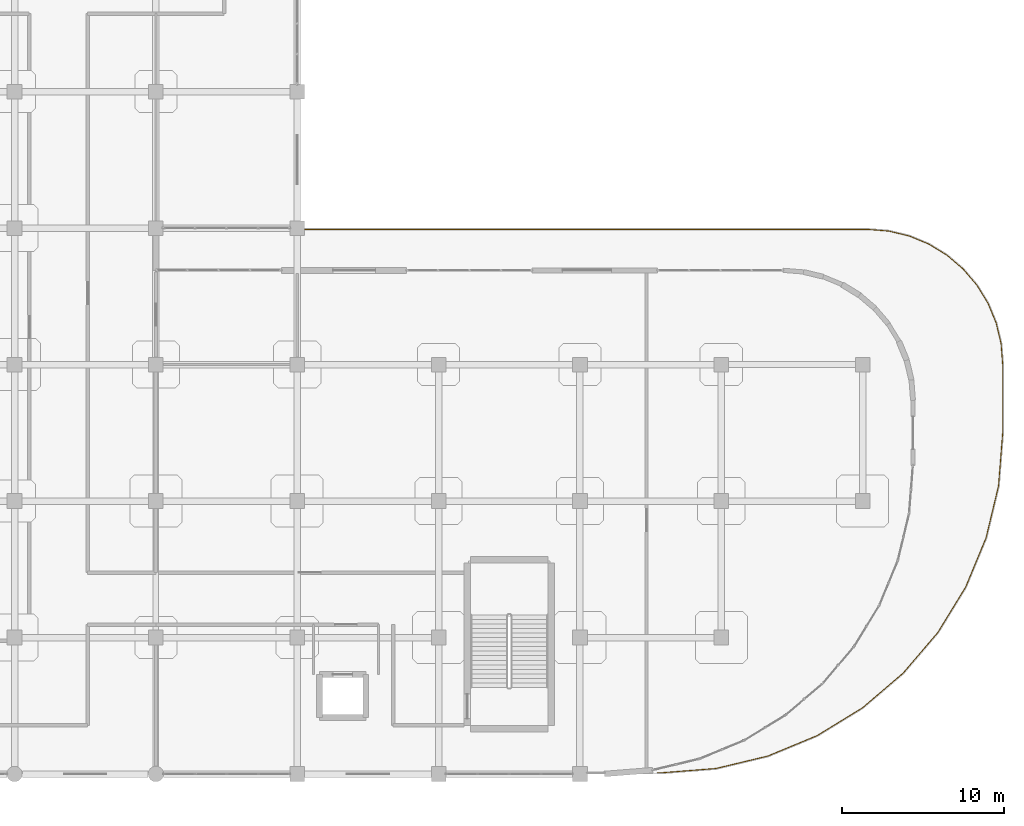
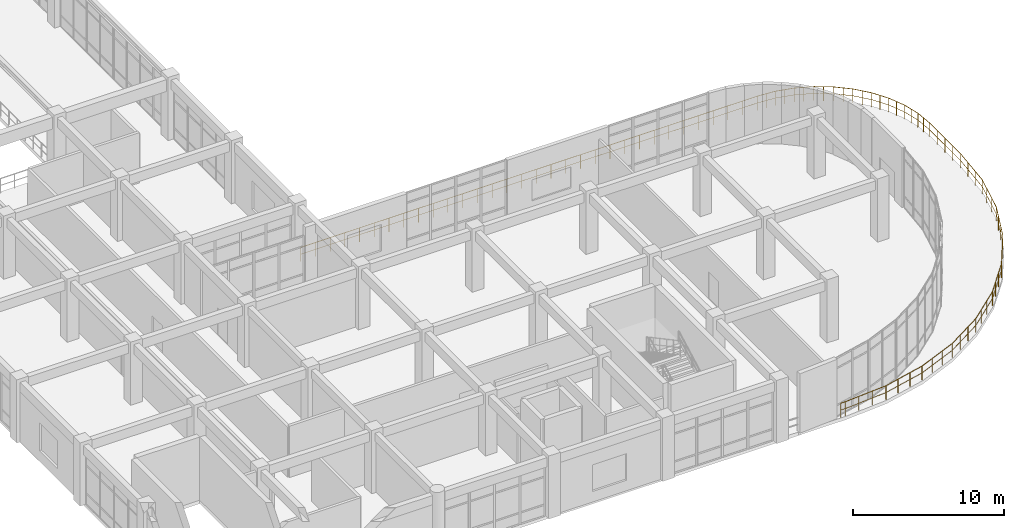
# One storey, part 120 of 120: 1 railing.
"""IFC4 building model written with IfcOpenShell, lengths in metres."""

import ifcopenshell
import ifcopenshell.guid

model = None  # the IFC model being written
_history = None  # IfcOwnerHistory: only IFC2X3 demands one
_inside = {}  # id of a spatial element -> (the spatial element, [elements in it])
_under = {}  # id of a project, library or spatial element -> (it, [spatial elements below it])
_declared = {}  # id of a project -> (the project, [libraries it declares])
_typed = {}  # id of a type object -> (the type object, [elements of that type])
_made_of = {}  # id of a material, layer set ... -> (it, [elements and type objects made of it])


def new_model(schema):
    """Start an empty IFC model of exactly this schema.

    Asked for "IFC4X3", IfcOpenShell would pick the latest addendum, in which some entities
    have other attributes; the version numbers below select the first issue.
    IFC2X3 requires an IfcOwnerHistory on every rooted entity: one is made here for all.
    """
    global model, _history
    if schema == "IFC4X3":
        model = ifcopenshell.file(schema_version=(4, 3, 0, 0))
    else:
        model = ifcopenshell.file(schema=schema)
    _inside.clear()
    _under.clear()
    _declared.clear()
    _typed.clear()
    _made_of.clear()
    _history = None
    if model.schema == "IFC2X3":
        org = make("IfcOrganization", Name="unknown")
        user = make(
            "IfcPersonAndOrganization",
            ThePerson=make("IfcPerson", FamilyName="unknown"),
            TheOrganization=org,
        )
        app = make(
            "IfcApplication",
            ApplicationDeveloper=org,
            Version="unknown",
            ApplicationFullName="unknown",
            ApplicationIdentifier="unknown",
        )
        _history = make(
            "IfcOwnerHistory",
            OwningUser=user,
            OwningApplication=app,
            ChangeAction="ADDED",
            CreationDate=0,
        )
    return model


def make(cls, **values):
    """One entity of the class cls with the attributes given. An attribute that is None is left unset."""
    return model.create_entity(
        cls, **{name: value for name, value in values.items() if value is not None}
    )


def rooted(cls, **values):
    """An entity with a GlobalId (a new one), such as an element, a storey or a relation."""
    return make(cls, GlobalId=ifcopenshell.guid.new(), OwnerHistory=_history, **values)


def si_unit(unit_type, name, prefix=None):
    """IfcSIUnit, for example si_unit("LENGTHUNIT", "METRE", prefix="MILLI")."""
    return make("IfcSIUnit", UnitType=unit_type, Prefix=prefix, Name=name)


def derived_unit(unit_type, elements):
    """IfcDerivedUnit: a product of units, each with its exponent."""
    return make(
        "IfcDerivedUnit",
        Elements=[
            make("IfcDerivedUnitElement", Unit=unit, Exponent=power)
            for unit, power in elements
        ],
        UnitType=unit_type,
    )


def assignment(units):
    """IfcUnitAssignment: the units of a project."""
    return None if units is None else make("IfcUnitAssignment", Units=units)


def point(xyz):
    """IfcCartesianPoint."""
    return None if xyz is None else make("IfcCartesianPoint", Coordinates=xyz)


def direction(xyz):
    """IfcDirection."""
    return None if xyz is None else make("IfcDirection", DirectionRatios=xyz)


def frame(location, z_axis=None, x_axis=None):
    """IfcAxis2Placement3D, a coordinate frame: its origin and axes. An axis left out is left unset."""
    return make(
        "IfcAxis2Placement3D",
        Location=point(location),
        Axis=direction(z_axis),
        RefDirection=direction(x_axis),
    )


def frame_2d(location, x_axis=None):
    """IfcAxis2Placement2D, a coordinate frame in the plane: its origin and x axis."""
    return make(
        "IfcAxis2Placement2D", Location=point(location), RefDirection=direction(x_axis)
    )


def origin():
    """The frame at (0, 0, 0) with its axes left unset."""
    return frame((0.0, 0.0, 0.0))


def origin_2d():
    """The frame at (0, 0) in the plane with its x axis left unset."""
    return frame_2d((0.0, 0.0))


def place(relative_to, where):
    """IfcLocalPlacement: puts the frame where relative to a parent placement (None: the world)."""
    return make(
        "IfcLocalPlacement", PlacementRelTo=relative_to, RelativePlacement=where
    )


def context(
    kind, dimensions, precision=None, world=None, true_north=None, identifier=None
):
    """IfcGeometricRepresentationContext, for example the 3D "Model" context."""
    return make(
        "IfcGeometricRepresentationContext",
        ContextIdentifier=identifier,
        ContextType=kind,
        CoordinateSpaceDimension=dimensions,
        Precision=precision,
        WorldCoordinateSystem=world,
        TrueNorth=true_north,
    )


def subcontext(parent, identifier, kind, view, scale=None):
    """IfcGeometricRepresentationSubContext, for example "Body" below "Model"."""
    return make(
        "IfcGeometricRepresentationSubContext",
        ContextIdentifier=identifier,
        ContextType=kind,
        ParentContext=parent,
        TargetScale=scale,
        TargetView=view,
    )


def project(units=None, contexts=None):
    """IfcProject with its units and contexts."""
    return rooted(
        "IfcProject",
        Name="project",
        RepresentationContexts=contexts,
        UnitsInContext=assignment(units),
    )


def spatial(cls, under=None, at=None, **own):
    """A site, building, storey or space (cls), placed at a placement, below another one or the project."""
    s = rooted(cls, ObjectPlacement=at, **own)
    if under is not None:
        _under.setdefault(under.id(), (under, []))[1].append(s)
    return s


def profile(cls, at=None, kind="AREA", **sizes):
    """A parametric profile (cls). Its sizes go by their IFC names, for example OverallWidth=200.0."""
    return make(cls, ProfileType=kind, Position=at, **sizes)


def circle(**sizes):
    """IfcCircleProfileDef."""
    return profile("IfcCircleProfileDef", **sizes)


def extrude(swept, where, along, depth):
    """IfcExtrudedAreaSolid: the profile swept, set in the frame where, extruded along a direction by depth."""
    return make(
        "IfcExtrudedAreaSolid",
        SweptArea=swept,
        Position=where,
        ExtrudedDirection=direction(along),
        Depth=depth,
    )


def shape(context_of_items, identifier, shape_type, items):
    """IfcShapeRepresentation: the items that make up one representation, for example the "Body"."""
    return make(
        "IfcShapeRepresentation",
        ContextOfItems=context_of_items,
        RepresentationIdentifier=identifier,
        RepresentationType=shape_type,
        Items=items,
    )


def material(Name=None, Category=None):
    """IfcMaterial."""
    return make("IfcMaterial", Name=Name, Category=Category)


def made_of(thing, what):
    """Note that an element or type object is made of a material, layer set ...; save() writes the relation."""
    if what is not None:
        _made_of.setdefault(what.id(), (what, []))[1].append(thing)
    return thing


def type_object(cls, material=None, **own):
    """A type object (cls), such as IfcWallType, which elements share."""
    return made_of(rooted(cls, **own), material)


def element(
    cls,
    number,
    at=None,
    inside=None,
    cuts=None,
    type_object=None,
    material=None,
    context=None,
    identifier="Body",
    shape_type=None,
    held_by="IfcProductDefinitionShape",
    body=None,
    shapes=None,
    **own,
):
    """One element of the class cls, such as IfcWall. Its Tag is "e" and its number.

    at: its placement. inside: the storey or other place that contains it. cuts: it is an
    opening in that element (IfcRelVoidsElement). A single representation is given by context,
    identifier, shape_type and body (its items); several are given by shapes. held_by: the class
    of the entity that holds the representations. save() writes the other relations.
    """
    e = rooted(cls, Tag="e%d" % number, ObjectPlacement=at, **own)
    if body is not None:
        shapes = [shape(context, identifier, shape_type, body)]
    if shapes is not None:
        e.Representation = make(held_by, Representations=shapes)
    if inside is not None:
        _inside.setdefault(inside.id(), (inside, []))[1].append(e)
    if cuts is not None:
        rooted(
            "IfcRelVoidsElement", RelatingBuildingElement=cuts, RelatedOpeningElement=e
        )
    if type_object is not None:
        _typed.setdefault(type_object.id(), (type_object, []))[1].append(e)
    return made_of(e, material)


def aggregate(whole, parts):
    """IfcRelAggregates: a whole, such as a stair, and the parts it consists of."""
    return rooted("IfcRelAggregates", RelatingObject=whole, RelatedObjects=parts)


def save(model, path):
    """Write the relations noted so far, then the file.

    IfcRelAggregates (storeys below a building ...), IfcRelContainedInSpatialStructure (elements
    in a storey), IfcRelDefinesByType, IfcRelAssociatesMaterial and IfcRelDeclares: one each for
    every whole, place, type object, material and project.
    """
    for whole, parts in _under.values():
        aggregate(whole, parts)
    for where, things in _inside.values():
        rooted(
            "IfcRelContainedInSpatialStructure",
            RelatedElements=things,
            RelatingStructure=where,
        )
    for kind, things in _typed.values():
        rooted("IfcRelDefinesByType", RelatedObjects=things, RelatingType=kind)
    for what, things in _made_of.values():
        rooted("IfcRelAssociatesMaterial", RelatedObjects=things, RelatingMaterial=what)
    for by, libraries in _declared.values():
        rooted("IfcRelDeclares", RelatingContext=by, RelatedDefinitions=libraries)
    model.write(path)


model = new_model("IFC4")

# Units and contexts
model_context = context("Model", 3, precision=1e-05, world=origin(), true_north=direction((0.0, 1.0)))
body_context = subcontext(model_context, "Body", "Model", "MODEL_VIEW")
ifc_project = project(units=[si_unit("LENGTHUNIT", "METRE"), si_unit("AREAUNIT", "SQUARE_METRE"), si_unit("VOLUMEUNIT", "CUBIC_METRE"), si_unit("PLANEANGLEUNIT", "RADIAN"), si_unit("MASSUNIT", "GRAM", prefix="KILO"), derived_unit("THERMALTRANSMITTANCEUNIT", [(si_unit("MASSUNIT", "GRAM", prefix="KILO"), 1), (si_unit("TIMEUNIT", "SECOND"), -3), (si_unit("THERMODYNAMICTEMPERATUREUNIT", "KELVIN"), -1)])], contexts=[model_context])

# Site, building, storey
site_placement = place(None, origin())
site = spatial("IfcSite", under=ifc_project, at=site_placement, CompositionType="ELEMENT")
building_placement = place(site_placement, origin())
building = spatial("IfcBuilding", under=site, at=building_placement, Name="Qinzheling Arcade Emporium", CompositionType="ELEMENT")
storey_placement = place(building_placement, frame((0.0, 0.0, 11.39990234375)))
storey = spatial("IfcBuildingStorey", under=building, at=storey_placement, Name="L03", CompositionType="ELEMENT", Elevation=11.39990234375)

# Railing
ifc_material = material(Name="Architectural bronze rail and laminated safety glass", Category="glass")
railing_type = type_object("IfcRailingType", Name="Curved Terrace Laminated Glass and Bronze Balustrade 1150", PredefinedType="BALUSTRADE", material=ifc_material)
railing_placement = place(storey_placement, frame((130.705078125, 33.52001953125, 0.0)))
element("IfcRailing", 1, at=railing_placement, inside=storey, type_object=railing_type, Name="Terrace Balustrade RLG-TER-L03-002", PredefinedType="BALUSTRADE", context=body_context, shape_type="SweptSolid", body=[
    extrude(circle(Radius=0.02392578125, at=origin_2d()), frame((0.0, 0.0, 1.1259765625), z_axis=(1.0, 0.0, 0.0), x_axis=(0.0, 1.0, 0.0)), (0.0, 0.0, 1.0), 34.891845703125),
    extrude(circle(Radius=0.01611328125, at=origin_2d()), frame((0.0, 0.0, 0.574951171875), z_axis=(1.0, 0.0, 0.0), x_axis=(0.0, 1.0, 0.0)), (0.0, 0.0, 1.0), 34.891845703125),
    extrude(circle(Radius=0.02392578125, at=origin_2d()), frame((34.891845703125, 0.0, 1.1259765625), z_axis=(0.996951487749, -0.078023913477, 0.0), x_axis=(0.078023913477, 0.996951487749, 0.0)), (0.0, 0.0, 1.0), 1.307861328125),
    extrude(circle(Radius=0.01611328125, at=origin_2d()), frame((34.891845703125, 0.0, 0.574951171875), z_axis=(0.996951487749, -0.078023913477, 0.0), x_axis=(0.078023913477, 0.996951487749, 0.0)), (0.0, 0.0, 1.0), 1.307861328125),
    extrude(circle(Radius=0.02392578125, at=origin_2d()), frame((36.19580078125, -0.10205078125, 1.1259765625), z_axis=(0.972365240344, -0.233464856822, 0.0), x_axis=(0.233464856822, 0.972365240344, 0.0)), (0.0, 0.0, 1.0), 1.30615234375),
    extrude(circle(Radius=0.01611328125, at=origin_2d()), frame((36.19580078125, -0.10205078125, 0.574951171875), z_axis=(0.972365240344, -0.233464856822, 0.0), x_axis=(0.233464856822, 0.972365240344, 0.0)), (0.0, 0.0, 1.0), 1.30615234375),
    extrude(circle(Radius=0.02392578125, at=origin_2d()), frame((37.4658203125, -0.406982421875, 1.1259765625), z_axis=(0.923871065891, -0.382703871955, 0.0), x_axis=(0.382703871955, 0.923871065891, 0.0)), (0.0, 0.0, 1.0), 1.306396484375),
    extrude(circle(Radius=0.01611328125, at=origin_2d()), frame((37.4658203125, -0.406982421875, 0.574951171875), z_axis=(0.923871065891, -0.382703871955, 0.0), x_axis=(0.382703871955, 0.923871065891, 0.0)), (0.0, 0.0, 1.0), 1.306396484375),
    extrude(circle(Radius=0.02392578125, at=origin_2d()), frame((38.6728515625, -0.906982421875, 1.1259765625), z_axis=(0.852415617327, -0.522864815546, 0.0), x_axis=(0.522864815546, 0.852415617327, 0.0)), (0.0, 0.0, 1.0), 1.3046875),
    extrude(circle(Radius=0.01611328125, at=origin_2d()), frame((38.6728515625, -0.906982421875, 0.574951171875), z_axis=(0.852415617327, -0.522864815546, 0.0), x_axis=(0.522864815546, 0.852415617327, 0.0)), (0.0, 0.0, 1.0), 1.3046875),
    extrude(circle(Radius=0.02392578125, at=origin_2d()), frame((39.784912109375, -1.589111328125, 1.1259765625), z_axis=(0.760456394617, -0.649388998895, 0.0), x_axis=(0.649388998895, 0.760456394617, 0.0)), (0.0, 0.0, 1.0), 1.3056640625),
    extrude(circle(Radius=0.01611328125, at=origin_2d()), frame((39.784912109375, -1.589111328125, 0.574951171875), z_axis=(0.760456394617, -0.649388998895, 0.0), x_axis=(0.649388998895, 0.760456394617, 0.0)), (0.0, 0.0, 1.0), 1.3056640625),
    extrude(circle(Radius=0.02392578125, at=origin_2d()), frame((40.77783203125, -2.43701171875, 1.1259765625), z_axis=(0.649497109843, -0.760364060372, 0.0), x_axis=(0.760364060372, 0.649497109843, 0.0)), (0.0, 0.0, 1.0), 1.305908203125),
    extrude(circle(Radius=0.01611328125, at=origin_2d()), frame((40.77783203125, -2.43701171875, 0.574951171875), z_axis=(0.649497109843, -0.760364060372, 0.0), x_axis=(0.760364060372, 0.649497109843, 0.0)), (0.0, 0.0, 1.0), 1.305908203125),
    extrude(circle(Radius=0.02392578125, at=origin_2d()), frame((41.6259765625, -3.429931640625, 1.1259765625), z_axis=(0.522728818476, -0.852499021897, 0.0), x_axis=(0.852499021897, 0.522728818476, 0.0)), (0.0, 0.0, 1.0), 1.304443359375),
    extrude(circle(Radius=0.01611328125, at=origin_2d()), frame((41.6259765625, -3.429931640625, 0.574951171875), z_axis=(0.522728818476, -0.852499021897, 0.0), x_axis=(0.852499021897, 0.522728818476, 0.0)), (0.0, 0.0, 1.0), 1.304443359375),
    extrude(circle(Radius=0.02392578125, at=origin_2d()), frame((42.307861328125, -4.5419921875, 1.1259765625), z_axis=(0.382703871955, -0.923871065891, 0.0), x_axis=(0.923871065891, 0.382703871955, 0.0)), (0.0, 0.0, 1.0), 1.306396484375),
    extrude(circle(Radius=0.01611328125, at=origin_2d()), frame((42.307861328125, -4.5419921875, 0.574951171875), z_axis=(0.382703871955, -0.923871065891, 0.0), x_axis=(0.923871065891, 0.382703871955, 0.0)), (0.0, 0.0, 1.0), 1.306396484375),
    extrude(circle(Radius=0.02392578125, at=origin_2d()), frame((42.807861328125, -5.7490234375, 1.1259765625), z_axis=(0.233641578365, -0.972322792523, 0.0), x_axis=(0.972322792523, 0.233641578365, 0.0)), (0.0, 0.0, 1.0), 1.30615234375),
    extrude(circle(Radius=0.01611328125, at=origin_2d()), frame((42.807861328125, -5.7490234375, 0.574951171875), z_axis=(0.233641578365, -0.972322792523, 0.0), x_axis=(0.972322792523, 0.233641578365, 0.0)), (0.0, 0.0, 1.0), 1.30615234375),
    extrude(circle(Radius=0.02392578125, at=origin_2d()), frame((43.113037109375, -7.01904296875, 1.1259765625), z_axis=(0.077838385683, -0.99696599025, 0.0), x_axis=(0.99696599025, 0.077838385683, 0.0)), (0.0, 0.0, 1.0), 1.307861328125),
    extrude(circle(Radius=0.01611328125, at=origin_2d()), frame((43.113037109375, -7.01904296875, 0.574951171875), z_axis=(0.077838385683, -0.99696599025, 0.0), x_axis=(0.99696599025, 0.077838385683, 0.0)), (0.0, 0.0, 1.0), 1.307861328125),
    extrude(circle(Radius=0.02392578125, at=origin_2d()), frame((43.21484375, -8.322998046875, 1.1259765625), z_axis=(0.0, -1.0, 0.0), x_axis=(1.0, 0.0, 0.0)), (0.0, 0.0, 1.0), 4.194091796875),
    extrude(circle(Radius=0.01611328125, at=origin_2d()), frame((43.21484375, -8.322998046875, 0.574951171875), z_axis=(0.0, -1.0, 0.0), x_axis=(1.0, 0.0, 0.0)), (0.0, 0.0, 1.0), 4.194091796875),
    extrude(circle(Radius=0.02392578125, at=origin_2d()), frame((43.21484375, -12.51708984375, 1.1259765625), z_axis=(-0.078480907367, -0.99691561688, 0.0), x_axis=(0.99691561688, -0.078480907367, 0.0)), (0.0, 0.0, 1.0), 3.28515625),
    extrude(circle(Radius=0.01611328125, at=origin_2d()), frame((43.21484375, -12.51708984375, 0.574951171875), z_axis=(-0.078480907367, -0.99691561688, 0.0), x_axis=(0.99691561688, -0.078480907367, 0.0)), (0.0, 0.0, 1.0), 3.28515625),
    extrude(circle(Radius=0.02392578125, at=origin_2d()), frame((42.95703125, -15.7919921875, 1.1259765625), z_axis=(-0.233372952475, -0.972387301981, 0.0), x_axis=(0.972387301981, -0.233372952475, 0.0)), (0.0, 0.0, 1.0), 3.28271484375),
    extrude(circle(Radius=0.01611328125, at=origin_2d()), frame((42.95703125, -15.7919921875, 0.574951171875), z_axis=(-0.233372952475, -0.972387301981, 0.0), x_axis=(0.972387301981, -0.233372952475, 0.0)), (0.0, 0.0, 1.0), 3.28271484375),
    extrude(circle(Radius=0.02392578125, at=origin_2d()), frame((42.19091796875, -18.984130859375, 1.1259765625), z_axis=(-0.382782930161, -0.923838312898, 0.0), x_axis=(0.923838312898, -0.382782930161, 0.0)), (0.0, 0.0, 1.0), 3.283935546875),
    extrude(circle(Radius=0.01611328125, at=origin_2d()), frame((42.19091796875, -18.984130859375, 0.574951171875), z_axis=(-0.382782930161, -0.923838312898, 0.0), x_axis=(0.923838312898, -0.382782930161, 0.0)), (0.0, 0.0, 1.0), 3.283935546875),
    extrude(circle(Radius=0.02392578125, at=origin_2d()), frame((40.933837890625, -22.01806640625, 1.1259765625), z_axis=(-0.522569036208, -0.852596975362, 0.0), x_axis=(0.852596975362, -0.522569036208, 0.0)), (0.0, 0.0, 1.0), 3.281494140625),
    extrude(circle(Radius=0.01611328125, at=origin_2d()), frame((40.933837890625, -22.01806640625, 0.574951171875), z_axis=(-0.522569036208, -0.852596975362, 0.0), x_axis=(0.852596975362, -0.522569036208, 0.0)), (0.0, 0.0, 1.0), 3.281494140625),
    extrude(circle(Radius=0.02392578125, at=origin_2d()), frame((39.218994140625, -24.81591796875, 1.1259765625), z_axis=(-0.649485850124, -0.760373678193, 0.0), x_axis=(0.760373678193, -0.649485850124, 0.0)), (0.0, 0.0, 1.0), 3.28271484375),
    extrude(circle(Radius=0.01611328125, at=origin_2d()), frame((39.218994140625, -24.81591796875, 0.574951171875), z_axis=(-0.649485850124, -0.760373678193, 0.0), x_axis=(0.760373678193, -0.649485850124, 0.0)), (0.0, 0.0, 1.0), 3.28271484375),
    extrude(circle(Radius=0.02392578125, at=origin_2d()), frame((37.0869140625, -27.31201171875, 1.1259765625), z_axis=(-0.760373678193, -0.649485850124, 0.0), x_axis=(0.649485850124, -0.760373678193, 0.0)), (0.0, 0.0, 1.0), 3.28271484375),
    extrude(circle(Radius=0.01611328125, at=origin_2d()), frame((37.0869140625, -27.31201171875, 0.574951171875), z_axis=(-0.760373678193, -0.649485850124, 0.0), x_axis=(0.649485850124, -0.760373678193, 0.0)), (0.0, 0.0, 1.0), 3.28271484375),
    extrude(circle(Radius=0.02392578125, at=origin_2d()), frame((34.5908203125, -29.444091796875, 1.1259765625), z_axis=(-0.852596975362, -0.522569036208, 0.0), x_axis=(0.522569036208, -0.852596975362, 0.0)), (0.0, 0.0, 1.0), 3.281494140625),
    extrude(circle(Radius=0.01611328125, at=origin_2d()), frame((34.5908203125, -29.444091796875, 0.574951171875), z_axis=(-0.852596975362, -0.522569036208, 0.0), x_axis=(0.522569036208, -0.852596975362, 0.0)), (0.0, 0.0, 1.0), 3.281494140625),
    extrude(circle(Radius=0.02392578125, at=origin_2d()), frame((31.79296875, -31.158935546875, 1.1259765625), z_axis=(-0.923838312898, -0.382782930161, 0.0), x_axis=(0.382782930161, -0.923838312898, 0.0)), (0.0, 0.0, 1.0), 3.283935546875),
    extrude(circle(Radius=0.01611328125, at=origin_2d()), frame((31.79296875, -31.158935546875, 0.574951171875), z_axis=(-0.923838312898, -0.382782930161, 0.0), x_axis=(0.382782930161, -0.923838312898, 0.0)), (0.0, 0.0, 1.0), 3.283935546875),
    extrude(circle(Radius=0.02392578125, at=origin_2d()), frame((28.759033203125, -32.416015625, 1.1259765625), z_axis=(-0.972387301981, -0.233372952475, 0.0), x_axis=(0.233372952475, -0.972387301981, 0.0)), (0.0, 0.0, 1.0), 3.28271484375),
    extrude(circle(Radius=0.01611328125, at=origin_2d()), frame((28.759033203125, -32.416015625, 0.574951171875), z_axis=(-0.972387301981, -0.233372952475, 0.0), x_axis=(0.233372952475, -0.972387301981, 0.0)), (0.0, 0.0, 1.0), 3.28271484375),
    extrude(circle(Radius=0.02392578125, at=origin_2d()), frame((25.56689453125, -33.18212890625, 1.1259765625), z_axis=(-0.99691561688, -0.078480907367, 0.0), x_axis=(0.078480907367, -0.99691561688, 0.0)), (0.0, 0.0, 1.0), 3.28515625),
    extrude(circle(Radius=0.01611328125, at=origin_2d()), frame((25.56689453125, -33.18212890625, 0.574951171875), z_axis=(-0.99691561688, -0.078480907367, 0.0), x_axis=(0.078480907367, -0.99691561688, 0.0)), (0.0, 0.0, 1.0), 3.28515625),
    extrude(circle(Radius=0.02392578125, at=origin_2d()), frame((22.2919921875, -33.43994140625, 1.1259765625), z_axis=(-1.0, 0.0, 0.0), x_axis=(0.0, -1.0, 0.0)), (0.0, 0.0, 1.0), 0.323974609375),
    extrude(circle(Radius=0.01611328125, at=origin_2d()), frame((22.2919921875, -33.43994140625, 0.574951171875), z_axis=(-1.0, 0.0, 0.0), x_axis=(0.0, -1.0, 0.0)), (0.0, 0.0, 1.0), 0.323974609375),
    extrude(circle(Radius=0.02099609375, at=origin_2d()), origin(), (0.0, 0.0, 1.0), 1.101806640625),
    extrude(circle(Radius=0.02099609375, at=origin_2d()), frame((1.12548828125, 0.0, 0.0)), (0.0, 0.0, 1.0), 1.101806640625),
    extrude(circle(Radius=0.02099609375, at=origin_2d()), frame((2.2509765625, 0.0, 0.0)), (0.0, 0.0, 1.0), 1.101806640625),
    extrude(circle(Radius=0.02099609375, at=origin_2d()), frame((3.376708984375, 0.0, 0.0)), (0.0, 0.0, 1.0), 1.101806640625),
    extrude(circle(Radius=0.02099609375, at=origin_2d()), frame((4.502197265625, 0.0, 0.0)), (0.0, 0.0, 1.0), 1.101806640625),
    extrude(circle(Radius=0.02099609375, at=origin_2d()), frame((5.627685546875, 0.0, 0.0)), (0.0, 0.0, 1.0), 1.101806640625),
    extrude(circle(Radius=0.02099609375, at=origin_2d()), frame((6.753173828125, 0.0, 0.0)), (0.0, 0.0, 1.0), 1.101806640625),
    extrude(circle(Radius=0.02099609375, at=origin_2d()), frame((7.87890625, 0.0, 0.0)), (0.0, 0.0, 1.0), 1.101806640625),
    extrude(circle(Radius=0.02099609375, at=origin_2d()), frame((9.00439453125, 0.0, 0.0)), (0.0, 0.0, 1.0), 1.101806640625),
    extrude(circle(Radius=0.02099609375, at=origin_2d()), frame((10.1298828125, 0.0, 0.0)), (0.0, 0.0, 1.0), 1.101806640625),
    extrude(circle(Radius=0.02099609375, at=origin_2d()), frame((11.25537109375, 0.0, 0.0)), (0.0, 0.0, 1.0), 1.101806640625),
    extrude(circle(Radius=0.02099609375, at=origin_2d()), frame((12.380859375, 0.0, 0.0)), (0.0, 0.0, 1.0), 1.101806640625),
    extrude(circle(Radius=0.02099609375, at=origin_2d()), frame((13.506591796875, 0.0, 0.0)), (0.0, 0.0, 1.0), 1.101806640625),
    extrude(circle(Radius=0.02099609375, at=origin_2d()), frame((14.632080078125, 0.0, 0.0)), (0.0, 0.0, 1.0), 1.101806640625),
    extrude(circle(Radius=0.02099609375, at=origin_2d()), frame((15.757568359375, 0.0, 0.0)), (0.0, 0.0, 1.0), 1.101806640625),
    extrude(circle(Radius=0.02099609375, at=origin_2d()), frame((16.883056640625, 0.0, 0.0)), (0.0, 0.0, 1.0), 1.101806640625),
    extrude(circle(Radius=0.02099609375, at=origin_2d()), frame((18.0087890625, 0.0, 0.0)), (0.0, 0.0, 1.0), 1.101806640625),
    extrude(circle(Radius=0.02099609375, at=origin_2d()), frame((19.13427734375, 0.0, 0.0)), (0.0, 0.0, 1.0), 1.101806640625),
    extrude(circle(Radius=0.02099609375, at=origin_2d()), frame((20.259765625, 0.0, 0.0)), (0.0, 0.0, 1.0), 1.101806640625),
    extrude(circle(Radius=0.02099609375, at=origin_2d()), frame((21.38525390625, 0.0, 0.0)), (0.0, 0.0, 1.0), 1.101806640625),
    extrude(circle(Radius=0.02099609375, at=origin_2d()), frame((22.510986328125, 0.0, 0.0)), (0.0, 0.0, 1.0), 1.101806640625),
    extrude(circle(Radius=0.02099609375, at=origin_2d()), frame((23.636474609375, 0.0, 0.0)), (0.0, 0.0, 1.0), 1.101806640625),
    extrude(circle(Radius=0.02099609375, at=origin_2d()), frame((24.761962890625, 0.0, 0.0)), (0.0, 0.0, 1.0), 1.101806640625),
    extrude(circle(Radius=0.02099609375, at=origin_2d()), frame((25.887451171875, 0.0, 0.0)), (0.0, 0.0, 1.0), 1.101806640625),
    extrude(circle(Radius=0.02099609375, at=origin_2d()), frame((27.012939453125, 0.0, 0.0)), (0.0, 0.0, 1.0), 1.101806640625),
    extrude(circle(Radius=0.02099609375, at=origin_2d()), frame((28.138671875, 0.0, 0.0)), (0.0, 0.0, 1.0), 1.101806640625),
    extrude(circle(Radius=0.02099609375, at=origin_2d()), frame((29.26416015625, 0.0, 0.0)), (0.0, 0.0, 1.0), 1.101806640625),
    extrude(circle(Radius=0.02099609375, at=origin_2d()), frame((30.3896484375, 0.0, 0.0)), (0.0, 0.0, 1.0), 1.101806640625),
    extrude(circle(Radius=0.02099609375, at=origin_2d()), frame((31.51513671875, 0.0, 0.0)), (0.0, 0.0, 1.0), 1.101806640625),
    extrude(circle(Radius=0.02099609375, at=origin_2d()), frame((32.640869140625, 0.0, 0.0)), (0.0, 0.0, 1.0), 1.101806640625),
    extrude(circle(Radius=0.02099609375, at=origin_2d()), frame((33.766357421875, 0.0, 0.0)), (0.0, 0.0, 1.0), 1.101806640625),
    extrude(circle(Radius=0.02099609375, at=origin_2d()), frame((34.891845703125, 0.0, 0.0)), (0.0, 0.0, 1.0), 1.101806640625),
    extrude(circle(Radius=0.02099609375, at=origin_2d()), frame((35.5439453125, -0.051025390625, 0.0)), (0.0, 0.0, 1.0), 1.101806640625),
    extrude(circle(Radius=0.02099609375, at=origin_2d()), frame((36.19580078125, -0.10205078125, 0.0)), (0.0, 0.0, 1.0), 1.101806640625),
    extrude(circle(Radius=0.02099609375, at=origin_2d()), frame((36.830810546875, -0.25439453125, 0.0)), (0.0, 0.0, 1.0), 1.101806640625),
    extrude(circle(Radius=0.02099609375, at=origin_2d()), frame((37.4658203125, -0.406982421875, 0.0)), (0.0, 0.0, 1.0), 1.101806640625),
    extrude(circle(Radius=0.02099609375, at=origin_2d()), frame((38.0693359375, -0.656982421875, 0.0)), (0.0, 0.0, 1.0), 1.101806640625),
    extrude(circle(Radius=0.02099609375, at=origin_2d()), frame((38.6728515625, -0.906982421875, 0.0)), (0.0, 0.0, 1.0), 1.101806640625),
    extrude(circle(Radius=0.02099609375, at=origin_2d()), frame((39.22900390625, -1.248046875, 0.0)), (0.0, 0.0, 1.0), 1.101806640625),
    extrude(circle(Radius=0.02099609375, at=origin_2d()), frame((39.784912109375, -1.589111328125, 0.0)), (0.0, 0.0, 1.0), 1.101806640625),
    extrude(circle(Radius=0.02099609375, at=origin_2d()), frame((40.28125, -2.01318359375, 0.0)), (0.0, 0.0, 1.0), 1.101806640625),
    extrude(circle(Radius=0.02099609375, at=origin_2d()), frame((40.77783203125, -2.43701171875, 0.0)), (0.0, 0.0, 1.0), 1.101806640625),
    extrude(circle(Radius=0.02099609375, at=origin_2d()), frame((41.201904296875, -2.93359375, 0.0)), (0.0, 0.0, 1.0), 1.101806640625),
    extrude(circle(Radius=0.02099609375, at=origin_2d()), frame((41.6259765625, -3.429931640625, 0.0)), (0.0, 0.0, 1.0), 1.101806640625),
    extrude(circle(Radius=0.02099609375, at=origin_2d()), frame((41.966796875, -3.98583984375, 0.0)), (0.0, 0.0, 1.0), 1.101806640625),
    extrude(circle(Radius=0.02099609375, at=origin_2d()), frame((42.307861328125, -4.5419921875, 0.0)), (0.0, 0.0, 1.0), 1.101806640625),
    extrude(circle(Radius=0.02099609375, at=origin_2d()), frame((42.557861328125, -5.1455078125, 0.0)), (0.0, 0.0, 1.0), 1.101806640625),
    extrude(circle(Radius=0.02099609375, at=origin_2d()), frame((42.807861328125, -5.7490234375, 0.0)), (0.0, 0.0, 1.0), 1.101806640625),
    extrude(circle(Radius=0.02099609375, at=origin_2d()), frame((42.96044921875, -6.384033203125, 0.0)), (0.0, 0.0, 1.0), 1.101806640625),
    extrude(circle(Radius=0.02099609375, at=origin_2d()), frame((43.113037109375, -7.01904296875, 0.0)), (0.0, 0.0, 1.0), 1.101806640625),
    extrude(circle(Radius=0.02099609375, at=origin_2d()), frame((43.1640625, -7.6708984375, 0.0)), (0.0, 0.0, 1.0), 1.101806640625),
    extrude(circle(Radius=0.02099609375, at=origin_2d()), frame((43.21484375, -8.322998046875, 0.0)), (0.0, 0.0, 1.0), 1.101806640625),
    extrude(circle(Radius=0.02099609375, at=origin_2d()), frame((43.21484375, -9.37158203125, 0.0)), (0.0, 0.0, 1.0), 1.101806640625),
    extrude(circle(Radius=0.02099609375, at=origin_2d()), frame((43.21484375, -10.419921875, 0.0)), (0.0, 0.0, 1.0), 1.101806640625),
    extrude(circle(Radius=0.02099609375, at=origin_2d()), frame((43.21484375, -11.468505859375, 0.0)), (0.0, 0.0, 1.0), 1.101806640625),
    extrude(circle(Radius=0.02099609375, at=origin_2d()), frame((43.21484375, -12.51708984375, 0.0)), (0.0, 0.0, 1.0), 1.101806640625),
    extrude(circle(Radius=0.02099609375, at=origin_2d()), frame((43.12890625, -13.608642578125, 0.0)), (0.0, 0.0, 1.0), 1.101806640625),
    extrude(circle(Radius=0.02099609375, at=origin_2d()), frame((43.04296875, -14.700439453125, 0.0)), (0.0, 0.0, 1.0), 1.101806640625),
    extrude(circle(Radius=0.02099609375, at=origin_2d()), frame((42.95703125, -15.7919921875, 0.0)), (0.0, 0.0, 1.0), 1.101806640625),
    extrude(circle(Radius=0.02099609375, at=origin_2d()), frame((42.70166015625, -16.85595703125, 0.0)), (0.0, 0.0, 1.0), 1.101806640625),
    extrude(circle(Radius=0.02099609375, at=origin_2d()), frame((42.4462890625, -17.920166015625, 0.0)), (0.0, 0.0, 1.0), 1.101806640625),
    extrude(circle(Radius=0.02099609375, at=origin_2d()), frame((42.19091796875, -18.984130859375, 0.0)), (0.0, 0.0, 1.0), 1.101806640625),
    extrude(circle(Radius=0.02099609375, at=origin_2d()), frame((41.77197265625, -19.995361328125, 0.0)), (0.0, 0.0, 1.0), 1.101806640625),
    extrude(circle(Radius=0.02099609375, at=origin_2d()), frame((41.352783203125, -21.0068359375, 0.0)), (0.0, 0.0, 1.0), 1.101806640625),
    extrude(circle(Radius=0.02099609375, at=origin_2d()), frame((40.933837890625, -22.01806640625, 0.0)), (0.0, 0.0, 1.0), 1.101806640625),
    extrude(circle(Radius=0.02099609375, at=origin_2d()), frame((40.3623046875, -22.95068359375, 0.0)), (0.0, 0.0, 1.0), 1.101806640625),
    extrude(circle(Radius=0.02099609375, at=origin_2d()), frame((39.79052734375, -23.88330078125, 0.0)), (0.0, 0.0, 1.0), 1.101806640625),
    extrude(circle(Radius=0.02099609375, at=origin_2d()), frame((39.218994140625, -24.81591796875, 0.0)), (0.0, 0.0, 1.0), 1.101806640625),
    extrude(circle(Radius=0.02099609375, at=origin_2d()), frame((38.50830078125, -25.64794921875, 0.0)), (0.0, 0.0, 1.0), 1.101806640625),
    extrude(circle(Radius=0.02099609375, at=origin_2d()), frame((37.797607421875, -26.47998046875, 0.0)), (0.0, 0.0, 1.0), 1.101806640625),
    extrude(circle(Radius=0.02099609375, at=origin_2d()), frame((37.0869140625, -27.31201171875, 0.0)), (0.0, 0.0, 1.0), 1.101806640625),
    extrude(circle(Radius=0.02099609375, at=origin_2d()), frame((36.2548828125, -28.022705078125, 0.0)), (0.0, 0.0, 1.0), 1.101806640625),
    extrude(circle(Radius=0.02099609375, at=origin_2d()), frame((35.4228515625, -28.7333984375, 0.0)), (0.0, 0.0, 1.0), 1.101806640625),
    extrude(circle(Radius=0.02099609375, at=origin_2d()), frame((34.5908203125, -29.444091796875, 0.0)), (0.0, 0.0, 1.0), 1.101806640625),
    extrude(circle(Radius=0.02099609375, at=origin_2d()), frame((33.658203125, -30.015625, 0.0)), (0.0, 0.0, 1.0), 1.101806640625),
    extrude(circle(Radius=0.02099609375, at=origin_2d()), frame((32.7255859375, -30.58740234375, 0.0)), (0.0, 0.0, 1.0), 1.101806640625),
    extrude(circle(Radius=0.02099609375, at=origin_2d()), frame((31.79296875, -31.158935546875, 0.0)), (0.0, 0.0, 1.0), 1.101806640625),
    extrude(circle(Radius=0.02099609375, at=origin_2d()), frame((30.78173828125, -31.577880859375, 0.0)), (0.0, 0.0, 1.0), 1.101806640625),
    extrude(circle(Radius=0.02099609375, at=origin_2d()), frame((29.770263671875, -31.9970703125, 0.0)), (0.0, 0.0, 1.0), 1.101806640625),
    extrude(circle(Radius=0.02099609375, at=origin_2d()), frame((28.759033203125, -32.416015625, 0.0)), (0.0, 0.0, 1.0), 1.101806640625),
    extrude(circle(Radius=0.02099609375, at=origin_2d()), frame((27.695068359375, -32.67138671875, 0.0)), (0.0, 0.0, 1.0), 1.101806640625),
    extrude(circle(Radius=0.02099609375, at=origin_2d()), frame((26.630859375, -32.9267578125, 0.0)), (0.0, 0.0, 1.0), 1.101806640625),
    extrude(circle(Radius=0.02099609375, at=origin_2d()), frame((25.56689453125, -33.18212890625, 0.0)), (0.0, 0.0, 1.0), 1.101806640625),
    extrude(circle(Radius=0.02099609375, at=origin_2d()), frame((24.475341796875, -33.26806640625, 0.0)), (0.0, 0.0, 1.0), 1.101806640625),
    extrude(circle(Radius=0.02099609375, at=origin_2d()), frame((23.383544921875, -33.35400390625, 0.0)), (0.0, 0.0, 1.0), 1.101806640625),
    extrude(circle(Radius=0.02099609375, at=origin_2d()), frame((22.2919921875, -33.43994140625, 0.0)), (0.0, 0.0, 1.0), 1.101806640625),
    extrude(circle(Radius=0.02099609375, at=origin_2d()), frame((21.968017578125, -33.43994140625, 0.0)), (0.0, 0.0, 1.0), 1.101806640625),
])

save(model, "model.ifc")
